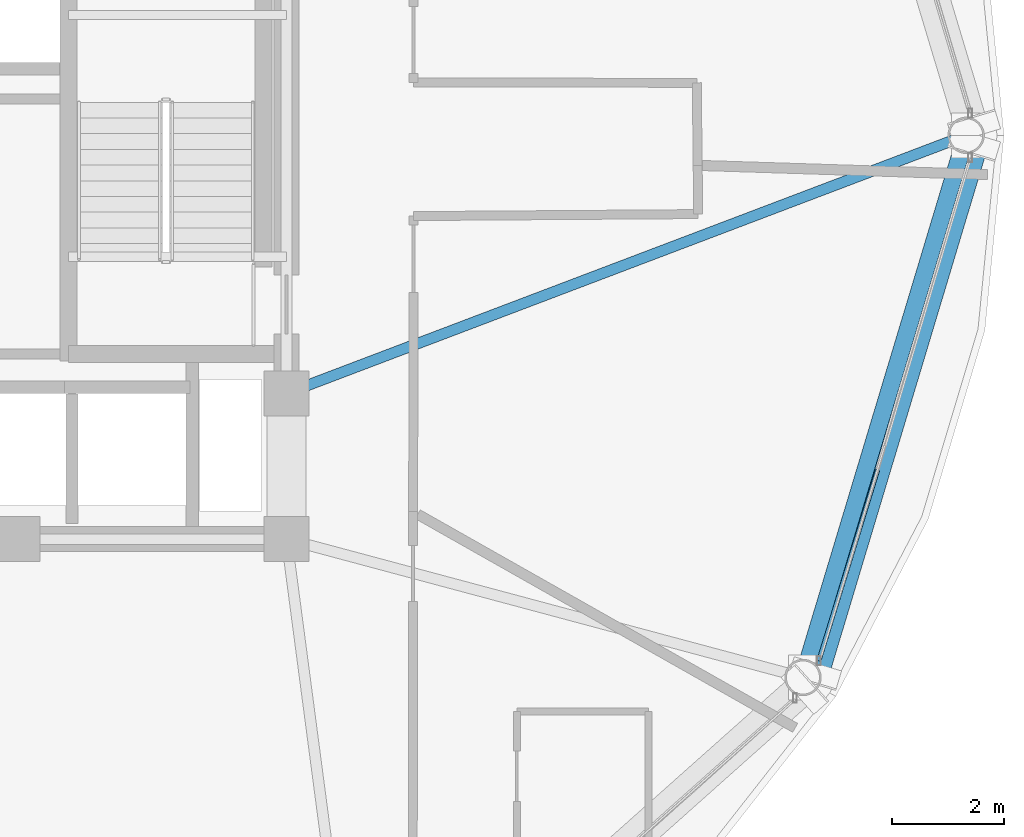
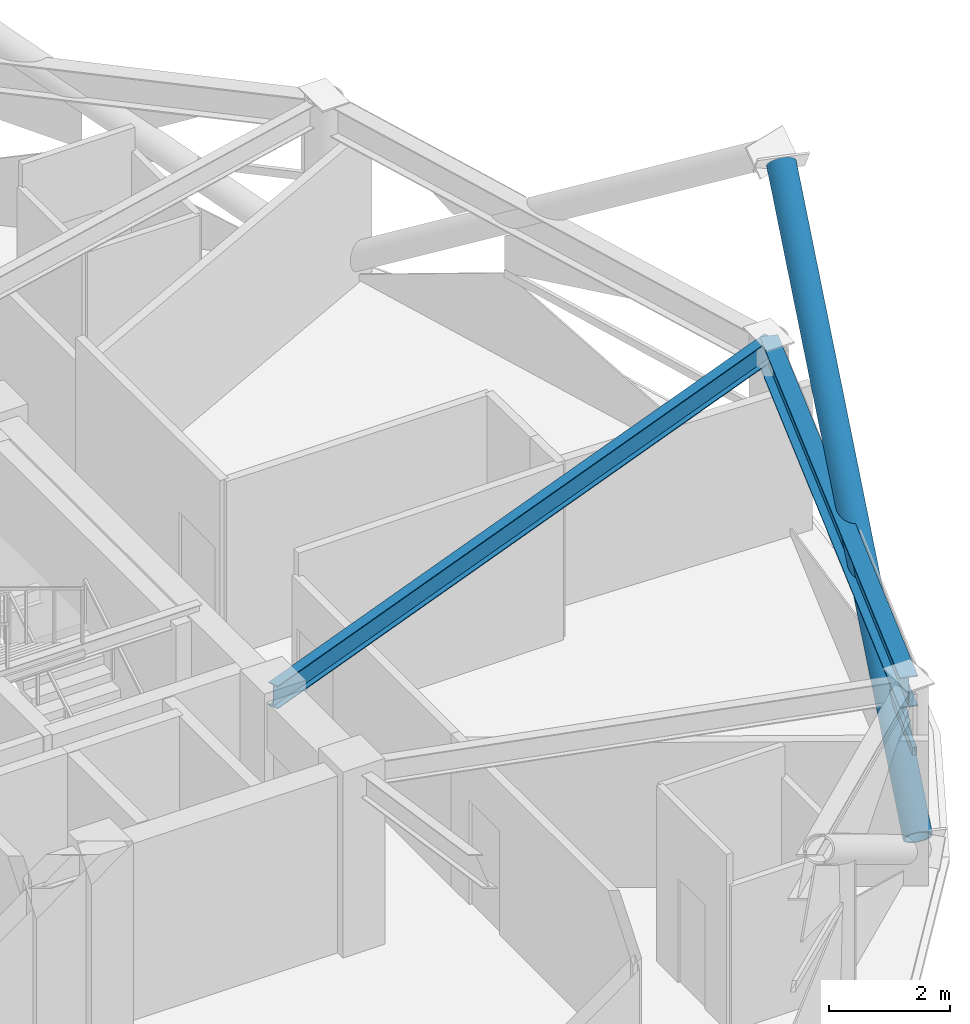
# One storey, part 12 of 29: 2 beams, 2 members, 1 element without a shape of its own.
"""IFC4 building model written with IfcOpenShell, lengths in metres."""

import ifcopenshell
import ifcopenshell.guid

model = None  # the IFC model being written
_history = None  # IfcOwnerHistory: only IFC2X3 demands one
_inside = {}  # id of a spatial element -> (the spatial element, [elements in it])
_under = {}  # id of a project, library or spatial element -> (it, [spatial elements below it])
_declared = {}  # id of a project -> (the project, [libraries it declares])
_typed = {}  # id of a type object -> (the type object, [elements of that type])
_made_of = {}  # id of a material, layer set ... -> (it, [elements and type objects made of it])


def new_model(schema):
    """Start an empty IFC model of exactly this schema.

    Asked for "IFC4X3", IfcOpenShell would pick the latest addendum, in which some entities
    have other attributes; the version numbers below select the first issue.
    IFC2X3 requires an IfcOwnerHistory on every rooted entity: one is made here for all.
    """
    global model, _history
    if schema == "IFC4X3":
        model = ifcopenshell.file(schema_version=(4, 3, 0, 0))
    else:
        model = ifcopenshell.file(schema=schema)
    _inside.clear()
    _under.clear()
    _declared.clear()
    _typed.clear()
    _made_of.clear()
    _history = None
    if model.schema == "IFC2X3":
        org = make("IfcOrganization", Name="unknown")
        user = make(
            "IfcPersonAndOrganization",
            ThePerson=make("IfcPerson", FamilyName="unknown"),
            TheOrganization=org,
        )
        app = make(
            "IfcApplication",
            ApplicationDeveloper=org,
            Version="unknown",
            ApplicationFullName="unknown",
            ApplicationIdentifier="unknown",
        )
        _history = make(
            "IfcOwnerHistory",
            OwningUser=user,
            OwningApplication=app,
            ChangeAction="ADDED",
            CreationDate=0,
        )
    return model


def make(cls, **values):
    """One entity of the class cls with the attributes given. An attribute that is None is left unset."""
    return model.create_entity(
        cls, **{name: value for name, value in values.items() if value is not None}
    )


def rooted(cls, **values):
    """An entity with a GlobalId (a new one), such as an element, a storey or a relation."""
    return make(cls, GlobalId=ifcopenshell.guid.new(), OwnerHistory=_history, **values)


def si_unit(unit_type, name, prefix=None):
    """IfcSIUnit, for example si_unit("LENGTHUNIT", "METRE", prefix="MILLI")."""
    return make("IfcSIUnit", UnitType=unit_type, Prefix=prefix, Name=name)


def assignment(units):
    """IfcUnitAssignment: the units of a project."""
    return None if units is None else make("IfcUnitAssignment", Units=units)


def point(xyz):
    """IfcCartesianPoint."""
    return None if xyz is None else make("IfcCartesianPoint", Coordinates=xyz)


def direction(xyz):
    """IfcDirection."""
    return None if xyz is None else make("IfcDirection", DirectionRatios=xyz)


def frame(location, z_axis=None, x_axis=None):
    """IfcAxis2Placement3D, a coordinate frame: its origin and axes. An axis left out is left unset."""
    return make(
        "IfcAxis2Placement3D",
        Location=point(location),
        Axis=direction(z_axis),
        RefDirection=direction(x_axis),
    )


def frame_2d(location, x_axis=None):
    """IfcAxis2Placement2D, a coordinate frame in the plane: its origin and x axis."""
    return make(
        "IfcAxis2Placement2D", Location=point(location), RefDirection=direction(x_axis)
    )


def origin():
    """The frame at (0, 0, 0) with its axes left unset."""
    return frame((0.0, 0.0, 0.0))


def origin_2d():
    """The frame at (0, 0) in the plane with its x axis left unset."""
    return frame_2d((0.0, 0.0))


def place(relative_to, where):
    """IfcLocalPlacement: puts the frame where relative to a parent placement (None: the world)."""
    return make(
        "IfcLocalPlacement", PlacementRelTo=relative_to, RelativePlacement=where
    )


def context(
    kind, dimensions, precision=None, world=None, true_north=None, identifier=None
):
    """IfcGeometricRepresentationContext, for example the 3D "Model" context."""
    return make(
        "IfcGeometricRepresentationContext",
        ContextIdentifier=identifier,
        ContextType=kind,
        CoordinateSpaceDimension=dimensions,
        Precision=precision,
        WorldCoordinateSystem=world,
        TrueNorth=true_north,
    )


def subcontext(parent, identifier, kind, view, scale=None):
    """IfcGeometricRepresentationSubContext, for example "Body" below "Model"."""
    return make(
        "IfcGeometricRepresentationSubContext",
        ContextIdentifier=identifier,
        ContextType=kind,
        ParentContext=parent,
        TargetScale=scale,
        TargetView=view,
    )


def project(units=None, contexts=None):
    """IfcProject with its units and contexts."""
    return rooted(
        "IfcProject",
        Name="project",
        RepresentationContexts=contexts,
        UnitsInContext=assignment(units),
    )


def spatial(cls, under=None, at=None, **own):
    """A site, building, storey or space (cls), placed at a placement, below another one or the project."""
    s = rooted(cls, ObjectPlacement=at, **own)
    if under is not None:
        _under.setdefault(under.id(), (under, []))[1].append(s)
    return s


def profile(cls, at=None, kind="AREA", **sizes):
    """A parametric profile (cls). Its sizes go by their IFC names, for example OverallWidth=200.0."""
    return make(cls, ProfileType=kind, Position=at, **sizes)


def hollow_rectangle(**sizes):
    """IfcRectangleHollowProfileDef."""
    return profile("IfcRectangleHollowProfileDef", **sizes)


def hollow_circle(**sizes):
    """IfcCircleHollowProfileDef."""
    return profile("IfcCircleHollowProfileDef", **sizes)


def i_section(**sizes):
    """IfcIShapeProfileDef."""
    return profile("IfcIShapeProfileDef", **sizes)


def extrude(swept, where, along, depth):
    """IfcExtrudedAreaSolid: the profile swept, set in the frame where, extruded along a direction by depth."""
    return make(
        "IfcExtrudedAreaSolid",
        SweptArea=swept,
        Position=where,
        ExtrudedDirection=direction(along),
        Depth=depth,
    )


def shape(context_of_items, identifier, shape_type, items):
    """IfcShapeRepresentation: the items that make up one representation, for example the "Body"."""
    return make(
        "IfcShapeRepresentation",
        ContextOfItems=context_of_items,
        RepresentationIdentifier=identifier,
        RepresentationType=shape_type,
        Items=items,
    )


def material(Name=None, Category=None):
    """IfcMaterial."""
    return make("IfcMaterial", Name=Name, Category=Category)


def layer(
    of_material, thickness, ventilated=None, Name=None, Category=None, Priority=None
):
    """IfcMaterialLayer: one layer of a wall or slab, of a material (None: an air gap)."""
    return make(
        "IfcMaterialLayer",
        Material=of_material,
        LayerThickness=thickness,
        IsVentilated=ventilated,
        Name=Name,
        Category=Category,
        Priority=Priority,
    )


def layer_set(layers, Name=None):
    """IfcMaterialLayerSet."""
    return make("IfcMaterialLayerSet", MaterialLayers=layers, LayerSetName=Name)


def material_profile(
    of_material, cross_section, Name=None, Category=None, Priority=None
):
    """IfcMaterialProfile: a cross section and its material."""
    return make(
        "IfcMaterialProfile",
        Name=Name,
        Material=of_material,
        Profile=cross_section,
        Priority=Priority,
        Category=Category,
    )


def profile_set(profiles, Name=None, composite=None):
    """IfcMaterialProfileSet."""
    return make(
        "IfcMaterialProfileSet",
        Name=Name,
        MaterialProfiles=profiles,
        CompositeProfile=composite,
    )


def made_of(thing, what):
    """Note that an element or type object is made of a material, layer set ...; save() writes the relation."""
    if what is not None:
        _made_of.setdefault(what.id(), (what, []))[1].append(thing)
    return thing


def type_object(cls, material=None, **own):
    """A type object (cls), such as IfcWallType, which elements share."""
    return made_of(rooted(cls, **own), material)


def element(
    cls,
    number,
    at=None,
    inside=None,
    cuts=None,
    type_object=None,
    material=None,
    context=None,
    identifier="Body",
    shape_type=None,
    held_by="IfcProductDefinitionShape",
    body=None,
    shapes=None,
    **own,
):
    """One element of the class cls, such as IfcWall. Its Tag is "e" and its number.

    at: its placement. inside: the storey or other place that contains it. cuts: it is an
    opening in that element (IfcRelVoidsElement). A single representation is given by context,
    identifier, shape_type and body (its items); several are given by shapes. held_by: the class
    of the entity that holds the representations. save() writes the other relations.
    """
    e = rooted(cls, Tag="e%d" % number, ObjectPlacement=at, **own)
    if body is not None:
        shapes = [shape(context, identifier, shape_type, body)]
    if shapes is not None:
        e.Representation = make(held_by, Representations=shapes)
    if inside is not None:
        _inside.setdefault(inside.id(), (inside, []))[1].append(e)
    if cuts is not None:
        rooted(
            "IfcRelVoidsElement", RelatingBuildingElement=cuts, RelatedOpeningElement=e
        )
    if type_object is not None:
        _typed.setdefault(type_object.id(), (type_object, []))[1].append(e)
    return made_of(e, material)


def aggregate(whole, parts):
    """IfcRelAggregates: a whole, such as a stair, and the parts it consists of."""
    return rooted("IfcRelAggregates", RelatingObject=whole, RelatedObjects=parts)


def save(model, path):
    """Write the relations noted so far, then the file.

    IfcRelAggregates (storeys below a building ...), IfcRelContainedInSpatialStructure (elements
    in a storey), IfcRelDefinesByType, IfcRelAssociatesMaterial and IfcRelDeclares: one each for
    every whole, place, type object, material and project.
    """
    for whole, parts in _under.values():
        aggregate(whole, parts)
    for where, things in _inside.values():
        rooted(
            "IfcRelContainedInSpatialStructure",
            RelatedElements=things,
            RelatingStructure=where,
        )
    for kind, things in _typed.values():
        rooted("IfcRelDefinesByType", RelatedObjects=things, RelatingType=kind)
    for what, things in _made_of.values():
        rooted("IfcRelAssociatesMaterial", RelatedObjects=things, RelatingMaterial=what)
    for by, libraries in _declared.values():
        rooted("IfcRelDeclares", RelatingContext=by, RelatedDefinitions=libraries)
    model.write(path)


model = new_model("IFC4")

# Units and contexts
model_context = context("Model", 3, precision=1e-05, world=origin(), true_north=direction((0.0, 1.0)))
body_context = subcontext(model_context, "Body", "Model", "MODEL_VIEW")
ifc_project = project(units=[si_unit("LENGTHUNIT", "METRE"), si_unit("AREAUNIT", "SQUARE_METRE"), si_unit("VOLUMEUNIT", "CUBIC_METRE"), si_unit("PLANEANGLEUNIT", "RADIAN"), si_unit("MASSUNIT", "GRAM", prefix="KILO")], contexts=[model_context])

# Site, building, storey
site_placement = place(None, origin())
site = spatial("IfcSite", under=ifc_project, at=site_placement, CompositionType="ELEMENT")
building_placement = place(site_placement, origin())
building = spatial("IfcBuilding", under=site, at=building_placement, Name="Vantalir Tower", CompositionType="ELEMENT")
storey_placement = place(building_placement, frame((0.0, 0.0, 234.89990234375)))
storey = spatial("IfcBuildingStorey", under=building, at=storey_placement, Name="L59", CompositionType="ELEMENT", Elevation=234.89990234375)

# Beams
ifc_material_1 = material(Name="Steel S355", Category="steel")
ifc_material_profile_1 = material_profile(ifc_material_1, i_section(OverallWidth=0.19189453125, OverallDepth=0.462890625, WebThickness=0.010498046875, FlangeThickness=0.017578125, at=origin_2d()), Name="Steel S355")
ifc_profile_set_1 = profile_set([ifc_material_profile_1], Name="Steel S355")
beam_type_1 = type_object("IfcBeamType", Name="BM-RB-457x191", PredefinedType="BEAM", material=ifc_profile_set_1)
beam_1_placement = place(storey_placement, frame((53.218017578125, 25.0, 3.338134765625), z_axis=(-0.934904236312, -0.354900083018, 0.0), x_axis=(0.354900083018, -0.934904236312, 0.0)))
element("IfcBeam", 1, at=beam_1_placement, inside=storey, type_object=beam_type_1, Name="L59 Radial Floor Beam 01", PredefinedType="BEAM", context=body_context, shape_type="SweptSolid", body=[
    extrude(i_section(OverallWidth=0.19189453125, OverallDepth=0.462890625, WebThickness=0.010498046875, FlangeThickness=0.017578125, at=origin_2d()), origin(), (0.0, 0.0, 1.0), 12.961669921875),
])
ifc_material_2 = material(Name="Steel S460", Category="steel")
ifc_material_profile_2 = material_profile(ifc_material_2, i_section(OverallWidth=0.306884765625, OverallDepth=0.6201171875, WebThickness=0.01416015625, FlangeThickness=0.023681640625, at=origin_2d()), Name="Steel S460")
ifc_profile_set_2 = profile_set([ifc_material_profile_2], Name="Steel S460")
beam_type_2 = type_object("IfcBeamType", Name="BM-RG-610x305", PredefinedType="USERDEFINED", material=ifc_profile_set_2)
beam_2_placement = place(storey_placement, frame((50.30810546875, 15.3330078125, 3.260009765625), z_axis=(0.288239655449, 0.957558301633, 0.0), x_axis=(-0.957558301633, 0.288239655449, 0.0)))
element("IfcBeam", 2, at=beam_2_placement, inside=storey, type_object=beam_type_2, Name="L59 Circumferential Ring Girder 12", ObjectType="GIRDER", PredefinedType="USERDEFINED", context=body_context, shape_type="SweptSolid", body=[
    extrude(i_section(OverallWidth=0.306884765625, OverallDepth=0.6201171875, WebThickness=0.01416015625, FlangeThickness=0.023681640625, at=origin_2d()), origin(), (0.0, 0.0, 1.0), 10.095458984375),
])

# Curtain wall, member
ifc_material_3 = material(Name="Champagne-silver PVDF aluminium and double-silver Low-E glass", Category="aluminium")
ifc_layer = layer(ifc_material_3, 0.2099609375)
ifc_layer_set = layer_set([ifc_layer], Name="Champagne-silver PVDF aluminium and double-silver Low-E glass")
curtain_wall_type = type_object("IfcCurtainWallType", Name="CW-DIAMOND-Z3", PredefinedType="USERDEFINED", material=ifc_layer_set)
curtain_wall_placement = place(storey_placement, origin())
curtain_wall = element("IfcCurtainWall", 3, at=curtain_wall_placement, inside=storey, type_object=curtain_wall_type, Name="L59 Quilted Pyramid-Diamond Curtain Wall S12", ObjectType="UNITISED CURTAIN WALL", PredefinedType="USERDEFINED")
ifc_material_4 = material(Name="Champagne-silver PVDF aluminium 6063-T6", Category="aluminium")
ifc_material_profile_3 = material_profile(ifc_material_4, hollow_rectangle(XDim=0.074951171875, YDim=0.159912109375, WallThickness=0.00390625, at=origin_2d()), Name="Champagne-silver PVDF aluminium 6063-T6")
ifc_profile_set_3 = profile_set([ifc_material_profile_3], Name="Champagne-silver PVDF aluminium 6063-T6")
member_type_1 = type_object("IfcMemberType", Name="CWT-160x75", PredefinedType="USERDEFINED", material=ifc_profile_set_3)
member_1_placement = place(storey_placement, frame((50.591064453125, 15.631103515625, 1.78515625), z_axis=(0.294471161401, 0.955660365979, 0.0), x_axis=(-0.955660365979, 0.294471161401, 0.0)))
member_1 = element("IfcMember", 4, at=member_1_placement, type_object=member_type_1, Name="CW-L59-S12 Pyramid Fold Ridge Transom", ObjectType="TRANSOM", PredefinedType="USERDEFINED", context=body_context, shape_type="SweptSolid", body=[
    extrude(hollow_rectangle(XDim=0.074951171875, YDim=0.159912109375, WallThickness=0.00390625, at=origin_2d()), origin(), (0.0, 0.0, 1.0), 3.561767578125),
])
aggregate(curtain_wall, [member_1])

# Member
ifc_material_profile_4 = material_profile(ifc_material_2, hollow_circle(Radius=0.25, WallThickness=0.031982421875, at=origin_2d()), Name="Steel S460")
ifc_profile_set_4 = profile_set([ifc_material_profile_4], Name="Steel S460")
member_type_2 = type_object("IfcMemberType", Name="MEM-DB-500x32", PredefinedType="BRACE", material=ifc_profile_set_4)
member_2_placement = place(storey_placement, frame((50.52490234375, 15.409912109375, 0.2060546875), z_axis=(0.235567399695, 0.783653674596, 0.574799894305), x_axis=(-0.957667620828, 0.287876237327, 0.0)))
element("IfcMember", 5, at=member_2_placement, inside=storey, type_object=member_type_2, Name="L59 Perimeter S460 Diagrid Brace R34L", PredefinedType="BRACE", context=body_context, shape_type="SweptSolid", body=[
    extrude(hollow_circle(Radius=0.25, WallThickness=0.031982421875, at=origin_2d()), origin(), (0.0, 0.0, 1.0), 12.01806640625),
])

save(model, "model.ifc")
